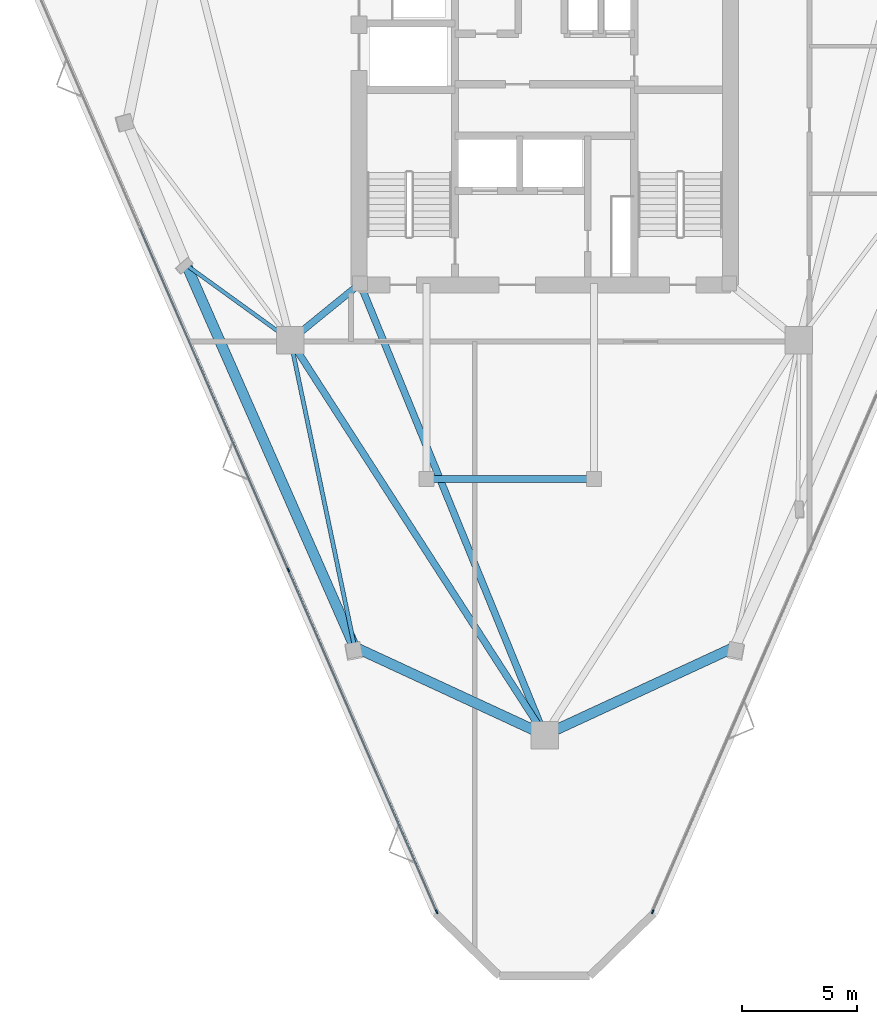
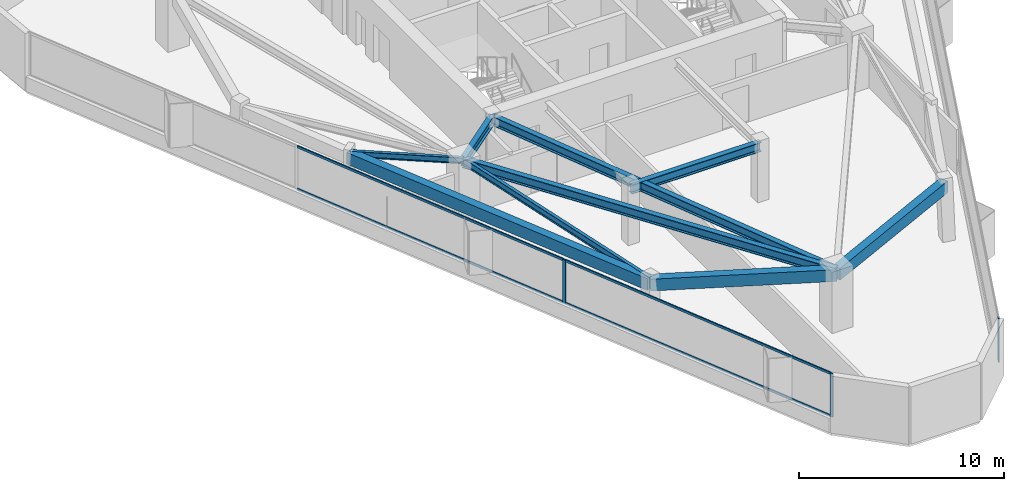
# One storey, part 2 of 10: 9 beams, 7 members, 2 elements without a shape of their own.
"""IFC4 building model written with IfcOpenShell, lengths in metres."""

import ifcopenshell
import ifcopenshell.guid

model = None  # the IFC model being written
_history = None  # IfcOwnerHistory: only IFC2X3 demands one
_inside = {}  # id of a spatial element -> (the spatial element, [elements in it])
_under = {}  # id of a project, library or spatial element -> (it, [spatial elements below it])
_declared = {}  # id of a project -> (the project, [libraries it declares])
_typed = {}  # id of a type object -> (the type object, [elements of that type])
_made_of = {}  # id of a material, layer set ... -> (it, [elements and type objects made of it])


def new_model(schema):
    """Start an empty IFC model of exactly this schema.

    Asked for "IFC4X3", IfcOpenShell would pick the latest addendum, in which some entities
    have other attributes; the version numbers below select the first issue.
    IFC2X3 requires an IfcOwnerHistory on every rooted entity: one is made here for all.
    """
    global model, _history
    if schema == "IFC4X3":
        model = ifcopenshell.file(schema_version=(4, 3, 0, 0))
    else:
        model = ifcopenshell.file(schema=schema)
    _inside.clear()
    _under.clear()
    _declared.clear()
    _typed.clear()
    _made_of.clear()
    _history = None
    if model.schema == "IFC2X3":
        org = make("IfcOrganization", Name="unknown")
        user = make(
            "IfcPersonAndOrganization",
            ThePerson=make("IfcPerson", FamilyName="unknown"),
            TheOrganization=org,
        )
        app = make(
            "IfcApplication",
            ApplicationDeveloper=org,
            Version="unknown",
            ApplicationFullName="unknown",
            ApplicationIdentifier="unknown",
        )
        _history = make(
            "IfcOwnerHistory",
            OwningUser=user,
            OwningApplication=app,
            ChangeAction="ADDED",
            CreationDate=0,
        )
    return model


def make(cls, **values):
    """One entity of the class cls with the attributes given. An attribute that is None is left unset."""
    return model.create_entity(
        cls, **{name: value for name, value in values.items() if value is not None}
    )


def rooted(cls, **values):
    """An entity with a GlobalId (a new one), such as an element, a storey or a relation."""
    return make(cls, GlobalId=ifcopenshell.guid.new(), OwnerHistory=_history, **values)


def si_unit(unit_type, name, prefix=None):
    """IfcSIUnit, for example si_unit("LENGTHUNIT", "METRE", prefix="MILLI")."""
    return make("IfcSIUnit", UnitType=unit_type, Prefix=prefix, Name=name)


def assignment(units):
    """IfcUnitAssignment: the units of a project."""
    return None if units is None else make("IfcUnitAssignment", Units=units)


def point(xyz):
    """IfcCartesianPoint."""
    return None if xyz is None else make("IfcCartesianPoint", Coordinates=xyz)


def direction(xyz):
    """IfcDirection."""
    return None if xyz is None else make("IfcDirection", DirectionRatios=xyz)


def frame(location, z_axis=None, x_axis=None):
    """IfcAxis2Placement3D, a coordinate frame: its origin and axes. An axis left out is left unset."""
    return make(
        "IfcAxis2Placement3D",
        Location=point(location),
        Axis=direction(z_axis),
        RefDirection=direction(x_axis),
    )


def frame_2d(location, x_axis=None):
    """IfcAxis2Placement2D, a coordinate frame in the plane: its origin and x axis."""
    return make(
        "IfcAxis2Placement2D", Location=point(location), RefDirection=direction(x_axis)
    )


def origin():
    """The frame at (0, 0, 0) with its axes left unset."""
    return frame((0.0, 0.0, 0.0))


def origin_2d():
    """The frame at (0, 0) in the plane with its x axis left unset."""
    return frame_2d((0.0, 0.0))


def place(relative_to, where):
    """IfcLocalPlacement: puts the frame where relative to a parent placement (None: the world)."""
    return make(
        "IfcLocalPlacement", PlacementRelTo=relative_to, RelativePlacement=where
    )


def context(
    kind, dimensions, precision=None, world=None, true_north=None, identifier=None
):
    """IfcGeometricRepresentationContext, for example the 3D "Model" context."""
    return make(
        "IfcGeometricRepresentationContext",
        ContextIdentifier=identifier,
        ContextType=kind,
        CoordinateSpaceDimension=dimensions,
        Precision=precision,
        WorldCoordinateSystem=world,
        TrueNorth=true_north,
    )


def subcontext(parent, identifier, kind, view, scale=None):
    """IfcGeometricRepresentationSubContext, for example "Body" below "Model"."""
    return make(
        "IfcGeometricRepresentationSubContext",
        ContextIdentifier=identifier,
        ContextType=kind,
        ParentContext=parent,
        TargetScale=scale,
        TargetView=view,
    )


def project(units=None, contexts=None):
    """IfcProject with its units and contexts."""
    return rooted(
        "IfcProject",
        Name="project",
        RepresentationContexts=contexts,
        UnitsInContext=assignment(units),
    )


def spatial(cls, under=None, at=None, **own):
    """A site, building, storey or space (cls), placed at a placement, below another one or the project."""
    s = rooted(cls, ObjectPlacement=at, **own)
    if under is not None:
        _under.setdefault(under.id(), (under, []))[1].append(s)
    return s


def profile(cls, at=None, kind="AREA", **sizes):
    """A parametric profile (cls). Its sizes go by their IFC names, for example OverallWidth=200.0."""
    return make(cls, ProfileType=kind, Position=at, **sizes)


def rectangle(**sizes):
    """IfcRectangleProfileDef."""
    return profile("IfcRectangleProfileDef", **sizes)


def i_section(**sizes):
    """IfcIShapeProfileDef."""
    return profile("IfcIShapeProfileDef", **sizes)


def extrude(swept, where, along, depth):
    """IfcExtrudedAreaSolid: the profile swept, set in the frame where, extruded along a direction by depth."""
    return make(
        "IfcExtrudedAreaSolid",
        SweptArea=swept,
        Position=where,
        ExtrudedDirection=direction(along),
        Depth=depth,
    )


def shape(context_of_items, identifier, shape_type, items):
    """IfcShapeRepresentation: the items that make up one representation, for example the "Body"."""
    return make(
        "IfcShapeRepresentation",
        ContextOfItems=context_of_items,
        RepresentationIdentifier=identifier,
        RepresentationType=shape_type,
        Items=items,
    )


def material(Name=None, Category=None):
    """IfcMaterial."""
    return make("IfcMaterial", Name=Name, Category=Category)


def layer(
    of_material, thickness, ventilated=None, Name=None, Category=None, Priority=None
):
    """IfcMaterialLayer: one layer of a wall or slab, of a material (None: an air gap)."""
    return make(
        "IfcMaterialLayer",
        Material=of_material,
        LayerThickness=thickness,
        IsVentilated=ventilated,
        Name=Name,
        Category=Category,
        Priority=Priority,
    )


def layer_set(layers, Name=None):
    """IfcMaterialLayerSet."""
    return make("IfcMaterialLayerSet", MaterialLayers=layers, LayerSetName=Name)


def material_profile(
    of_material, cross_section, Name=None, Category=None, Priority=None
):
    """IfcMaterialProfile: a cross section and its material."""
    return make(
        "IfcMaterialProfile",
        Name=Name,
        Material=of_material,
        Profile=cross_section,
        Priority=Priority,
        Category=Category,
    )


def profile_set(profiles, Name=None, composite=None):
    """IfcMaterialProfileSet."""
    return make(
        "IfcMaterialProfileSet",
        Name=Name,
        MaterialProfiles=profiles,
        CompositeProfile=composite,
    )


def made_of(thing, what):
    """Note that an element or type object is made of a material, layer set ...; save() writes the relation."""
    if what is not None:
        _made_of.setdefault(what.id(), (what, []))[1].append(thing)
    return thing


def type_object(cls, material=None, **own):
    """A type object (cls), such as IfcWallType, which elements share."""
    return made_of(rooted(cls, **own), material)


def element(
    cls,
    number,
    at=None,
    inside=None,
    cuts=None,
    type_object=None,
    material=None,
    context=None,
    identifier="Body",
    shape_type=None,
    held_by="IfcProductDefinitionShape",
    body=None,
    shapes=None,
    **own,
):
    """One element of the class cls, such as IfcWall. Its Tag is "e" and its number.

    at: its placement. inside: the storey or other place that contains it. cuts: it is an
    opening in that element (IfcRelVoidsElement). A single representation is given by context,
    identifier, shape_type and body (its items); several are given by shapes. held_by: the class
    of the entity that holds the representations. save() writes the other relations.
    """
    e = rooted(cls, Tag="e%d" % number, ObjectPlacement=at, **own)
    if body is not None:
        shapes = [shape(context, identifier, shape_type, body)]
    if shapes is not None:
        e.Representation = make(held_by, Representations=shapes)
    if inside is not None:
        _inside.setdefault(inside.id(), (inside, []))[1].append(e)
    if cuts is not None:
        rooted(
            "IfcRelVoidsElement", RelatingBuildingElement=cuts, RelatedOpeningElement=e
        )
    if type_object is not None:
        _typed.setdefault(type_object.id(), (type_object, []))[1].append(e)
    return made_of(e, material)


def aggregate(whole, parts):
    """IfcRelAggregates: a whole, such as a stair, and the parts it consists of."""
    return rooted("IfcRelAggregates", RelatingObject=whole, RelatedObjects=parts)


def save(model, path):
    """Write the relations noted so far, then the file.

    IfcRelAggregates (storeys below a building ...), IfcRelContainedInSpatialStructure (elements
    in a storey), IfcRelDefinesByType, IfcRelAssociatesMaterial and IfcRelDeclares: one each for
    every whole, place, type object, material and project.
    """
    for whole, parts in _under.values():
        aggregate(whole, parts)
    for where, things in _inside.values():
        rooted(
            "IfcRelContainedInSpatialStructure",
            RelatedElements=things,
            RelatingStructure=where,
        )
    for kind, things in _typed.values():
        rooted("IfcRelDefinesByType", RelatedObjects=things, RelatingType=kind)
    for what, things in _made_of.values():
        rooted("IfcRelAssociatesMaterial", RelatedObjects=things, RelatingMaterial=what)
    for by, libraries in _declared.values():
        rooted("IfcRelDeclares", RelatingContext=by, RelatedDefinitions=libraries)
    model.write(path)


model = new_model("IFC4")

# Units and contexts
model_context = context("Model", 3, precision=1e-05, world=origin(), true_north=direction((0.0, 1.0)))
body_context = subcontext(model_context, "Body", "Model", "MODEL_VIEW")
ifc_project = project(units=[si_unit("LENGTHUNIT", "METRE"), si_unit("AREAUNIT", "SQUARE_METRE"), si_unit("VOLUMEUNIT", "CUBIC_METRE"), si_unit("PLANEANGLEUNIT", "RADIAN"), si_unit("MASSUNIT", "GRAM", prefix="KILO")], contexts=[model_context])

# Site, building, storey
site_placement = place(None, origin())
site = spatial("IfcSite", under=ifc_project, at=site_placement, CompositionType="ELEMENT")
building_placement = place(site_placement, origin())
building = spatial("IfcBuilding", under=site, at=building_placement, Name="Talyreon Biosciences Tower", CompositionType="ELEMENT")
storey_placement = place(building_placement, frame((0.0, 0.0, 231.60009765625)))
storey = spatial("IfcBuildingStorey", under=building, at=storey_placement, Name="L61", CompositionType="ELEMENT", Elevation=231.60009765625)

# Curtain wall, members
ifc_material_1 = material(Name="Thermally broken aluminium and low-E glazing", Category="aluminium")
ifc_layer = layer(ifc_material_1, 0.175048828125)
ifc_layer_set = layer_set([ifc_layer], Name="Thermally broken aluminium and low-E glazing")
curtain_wall_type = type_object("IfcCurtainWallType", Name="CurtainWall_Zone5CompLab", PredefinedType="NOTDEFINED", material=ifc_layer_set)
curtain_wall_1_placement = place(storey_placement, origin())
curtain_wall_1 = element("IfcCurtainWall", 1, at=curtain_wall_1_placement, inside=storey, type_object=curtain_wall_type, Name="L61 Unitised Curtain Wall FCW-L61-00", PredefinedType="NOTDEFINED")
ifc_material_2 = material(Name="Anodised thermally broken aluminium", Category="aluminium")
ifc_material_profile_1 = material_profile(ifc_material_2, rectangle(XDim=0.06494140625, YDim=0.179931640625, at=origin_2d()), Name="ALUM MULLION 65x180")
ifc_profile_set_1 = profile_set([ifc_material_profile_1], Name="Anodised thermally broken aluminium")
member_type_1 = type_object("IfcMemberType", Name="CWMullion_65x180", PredefinedType="MULLION", material=ifc_profile_set_1)
member_1_placement = place(storey_placement, frame((61.290283203125, 33.96142578125, 0.809814453125), z_axis=(0.0, 0.0, 1.0), x_axis=(-0.917336640876, -0.398112405366, 0.0)))
member_1 = element("IfcMember", 2, at=member_1_placement, type_object=member_type_1, Name="CW6 mullion 1", PredefinedType="MULLION", context=body_context, shape_type="SweptSolid", body=[
    extrude(rectangle(XDim=0.06494140625, YDim=0.179931640625, at=origin_2d()), origin(), (0.0, 0.0, 1.0), 2.590087890625),
])
member_2_placement = place(storey_placement, frame((54.824951171875, 48.85888671875, 0.809814453125), z_axis=(0.0, 0.0, 1.0), x_axis=(-0.917336640876, -0.398112405366, 0.0)))
member_2 = element("IfcMember", 3, at=member_2_placement, type_object=member_type_1, Name="CW6 mullion 2", PredefinedType="MULLION", context=body_context, shape_type="SweptSolid", body=[
    extrude(rectangle(XDim=0.06494140625, YDim=0.179931640625, at=origin_2d()), origin(), (0.0, 0.0, 1.0), 2.590087890625),
])

# Curtain wall, member
curtain_wall_2_placement = place(storey_placement, origin())
curtain_wall_2 = element("IfcCurtainWall", 4, at=curtain_wall_2_placement, inside=storey, type_object=curtain_wall_type, Name="L61 Unitised Curtain Wall FCW-L61-08", PredefinedType="NOTDEFINED")
member_3_placement = place(storey_placement, frame((70.709716796875, 33.96142578125, 0.809814453125), z_axis=(0.0, 0.0, 1.0), x_axis=(0.917336640876, -0.398112405366, 0.0)))
member_3 = element("IfcMember", 5, at=member_3_placement, type_object=member_type_1, Name="CW6 mullion 4", PredefinedType="MULLION", context=body_context, shape_type="SweptSolid", body=[
    extrude(rectangle(XDim=0.06494140625, YDim=0.179931640625, at=origin_2d()), origin(), (0.0, 0.0, 1.0), 2.590087890625),
])
aggregate(curtain_wall_2, [member_3])

# Member
ifc_material_profile_2 = material_profile(ifc_material_2, rectangle(XDim=0.06494140625, YDim=0.139892578125, at=origin_2d()), Name="ALUM TRANSOM 65x140")
ifc_profile_set_2 = profile_set([ifc_material_profile_2], Name="Anodised thermally broken aluminium")
member_type_2 = type_object("IfcMemberType", Name="CWTransom_65x140", PredefinedType="USERDEFINED", material=ifc_profile_set_2)
member_4_placement = place(storey_placement, frame((61.27734375, 33.9912109375, 0.84228515625), z_axis=(-0.398117802668, 0.917334298497, 0.0), x_axis=(-0.917334298497, -0.398117802668, 0.0)))
member_4 = element("IfcMember", 6, at=member_4_placement, type_object=member_type_2, Name="CW6 transom 1.1", ObjectType="TRANSOM", PredefinedType="USERDEFINED", context=body_context, shape_type="SweptSolid", body=[
    extrude(rectangle(XDim=0.06494140625, YDim=0.139892578125, at=origin_2d()), origin(), (0.0, 0.0, 1.0), 16.1748046875),
])

member_5_placement = place(storey_placement, frame((61.27734375, 33.9912109375, 3.367431640625), z_axis=(-0.398117802668, 0.917334298497, 0.0), x_axis=(-0.917334298497, -0.398117802668, 0.0)))
member_5 = element("IfcMember", 7, at=member_5_placement, type_object=member_type_2, Name="CW6 transom 1.2", ObjectType="TRANSOM", PredefinedType="USERDEFINED", context=body_context, shape_type="SweptSolid", body=[
    extrude(rectangle(XDim=0.06494140625, YDim=0.139892578125, at=origin_2d()), origin(), (0.0, 0.0, 1.0), 16.1748046875),
])

member_6_placement = place(storey_placement, frame((54.81201171875, 48.888671875, 0.84228515625), z_axis=(-0.398118470733, 0.91733400856, 0.0), x_axis=(-0.91733400856, -0.398118470733, 0.0)))
member_6 = element("IfcMember", 8, at=member_6_placement, type_object=member_type_2, Name="CW6 transom 2.1", ObjectType="TRANSOM", PredefinedType="USERDEFINED", context=body_context, shape_type="SweptSolid", body=[
    extrude(rectangle(XDim=0.06494140625, YDim=0.139892578125, at=origin_2d()), origin(), (0.0, 0.0, 1.0), 16.207275390625),
])

member_7_placement = place(storey_placement, frame((54.81201171875, 48.888671875, 3.367431640625), z_axis=(-0.398118470733, 0.91733400856, 0.0), x_axis=(-0.91733400856, -0.398118470733, 0.0)))
member_7 = element("IfcMember", 9, at=member_7_placement, type_object=member_type_2, Name="CW6 transom 2.2", ObjectType="TRANSOM", PredefinedType="USERDEFINED", context=body_context, shape_type="SweptSolid", body=[
    extrude(rectangle(XDim=0.06494140625, YDim=0.139892578125, at=origin_2d()), origin(), (0.0, 0.0, 1.0), 16.207275390625),
])

aggregate(curtain_wall_1, [member_1, member_2, member_4, member_5, member_6, member_7])

# Beams
ifc_material_3 = material(Name="Precast concrete C45/55", Category="concrete")
ifc_material_profile_3 = material_profile(ifc_material_3, rectangle(XDim=0.449951171875, YDim=0.699951171875, at=origin_2d()), Name="RCB 450x700")
ifc_profile_set_3 = profile_set([ifc_material_profile_3], Name="Precast concrete C45/55")
beam_type_1 = type_object("IfcBeamType", Name="ExpressedSpandrel_450x700", PredefinedType="SPANDREL", material=ifc_profile_set_3)
beam_1_placement = place(storey_placement, frame((66.0, 41.6669921875, 3.0498046875), z_axis=(0.907527851036, 0.419991904201, 0.0), x_axis=(-0.419991904201, 0.907527851036, 0.0)))
element("IfcBeam", 10, at=beam_1_placement, inside=storey, type_object=beam_type_1, Name="L61 Expressed Horizontal Concrete Spandrel 01", PredefinedType="SPANDREL", context=body_context, shape_type="SweptSolid", body=[
    extrude(rectangle(XDim=0.449951171875, YDim=0.699951171875, at=origin_2d()), origin(), (0.0, 0.0, 1.0), 9.134033203125),
])
beam_2_placement = place(storey_placement, frame((50.376953125, 62.159423828125, 3.0498046875), z_axis=(0.402968326191, -0.915213924767, 0.0), x_axis=(0.915213924767, 0.402968326191, 0.0)))
element("IfcBeam", 11, at=beam_2_placement, inside=storey, type_object=beam_type_1, Name="L61 Expressed Horizontal Concrete Spandrel 11", PredefinedType="SPANDREL", context=body_context, shape_type="SweptSolid", body=[
    extrude(rectangle(XDim=0.449951171875, YDim=0.699951171875, at=origin_2d()), origin(), (0.0, 0.0, 1.0), 18.19921875),
])
beam_3_placement = place(storey_placement, frame((57.710693359375, 45.503173828125, 3.0498046875), z_axis=(0.907527851036, -0.419991904201, 0.0), x_axis=(0.419991904201, 0.907527851036, 0.0)))
element("IfcBeam", 12, at=beam_3_placement, inside=storey, type_object=beam_type_1, Name="L61 Expressed Horizontal Concrete Spandrel 12", PredefinedType="SPANDREL", context=body_context, shape_type="SweptSolid", body=[
    extrude(rectangle(XDim=0.449951171875, YDim=0.699951171875, at=origin_2d()), origin(), (0.0, 0.0, 1.0), 9.134033203125),
])
ifc_material_4 = material(Name="Steel SM355", Category="steel")
ifc_material_profile_4 = material_profile(ifc_material_4, i_section(OverallWidth=0.300048828125, OverallDepth=0.550048828125, WebThickness=0.014892578125, FlangeThickness=0.029052734375, FilletRadius=0.027099609375, at=origin_2d()), Name="HE550B")
ifc_profile_set_4 = profile_set([ifc_material_profile_4], Name="Steel SM355")
beam_type_2 = type_object("IfcBeamType", Name="SteelBeam_HE550B", PredefinedType="BEAM", material=ifc_profile_set_4)
beam_4_placement = place(storey_placement, frame((54.913818359375, 58.88037109375, 3.125), z_axis=(0.541463723609, -0.840724114092, 0.0), x_axis=(0.840724114092, 0.541463723609, 0.0)))
element("IfcBeam", 13, at=beam_4_placement, inside=storey, type_object=beam_type_2, Name="L61 Mega-Ring Girder 6", PredefinedType="BEAM", context=body_context, shape_type="SweptSolid", body=[
    extrude(i_section(OverallWidth=0.300048828125, OverallDepth=0.550048828125, WebThickness=0.014892578125, FlangeThickness=0.029052734375, FilletRadius=0.027099609375, at=origin_2d()), origin(), (0.0, 0.0, 1.0), 20.474365234375),
])
beam_5_placement = place(storey_placement, frame((57.949951171875, 61.35009765625, 3.125), z_axis=(0.378547014545, -0.925582064314, 0.0), x_axis=(0.925582064314, 0.378547014545, 0.0)))
element("IfcBeam", 14, at=beam_5_placement, inside=storey, type_object=beam_type_2, Name="L61 Radial Primary Girder 1", PredefinedType="BEAM", context=body_context, shape_type="SweptSolid", body=[
    extrude(i_section(OverallWidth=0.300048828125, OverallDepth=0.550048828125, WebThickness=0.014892578125, FlangeThickness=0.029052734375, FilletRadius=0.027099609375, at=origin_2d()), origin(), (0.0, 0.0, 1.0), 21.265625),
])
beam_6_placement = place(storey_placement, frame((57.949951171875, 61.35009765625, 3.125), z_axis=(-0.775755154013, -0.631034025249, 0.0), x_axis=(0.631034025249, -0.775755154013, 0.0)))
element("IfcBeam", 15, at=beam_6_placement, inside=storey, type_object=beam_type_2, Name="L61 Radial Primary Girder 6", PredefinedType="BEAM", context=body_context, shape_type="SweptSolid", body=[
    extrude(i_section(OverallWidth=0.300048828125, OverallDepth=0.550048828125, WebThickness=0.014892578125, FlangeThickness=0.029052734375, FilletRadius=0.027099609375, at=origin_2d()), origin(), (0.0, 0.0, 1.0), 3.913818359375),
])
beam_7_placement = place(storey_placement, frame((60.85009765625, 52.840087890625, 3.125), z_axis=(1.0, 0.0, 0.0), x_axis=(0.0, 1.0, 0.0)))
element("IfcBeam", 16, at=beam_7_placement, inside=storey, type_object=beam_type_2, Name="L61 Crown Shaft Spine Girder S", PredefinedType="BEAM", context=body_context, shape_type="SweptSolid", body=[
    extrude(i_section(OverallWidth=0.300048828125, OverallDepth=0.550048828125, WebThickness=0.014892578125, FlangeThickness=0.029052734375, FilletRadius=0.027099609375, at=origin_2d()), origin(), (0.0, 0.0, 1.0), 7.2998046875),
])
ifc_material_profile_5 = material_profile(ifc_material_4, i_section(OverallWidth=0.169921875, OverallDepth=0.360107421875, WebThickness=0.008056640625, FlangeThickness=0.0126953125, FilletRadius=0.01806640625, at=origin_2d()), Name="IPE360")
ifc_profile_set_5 = profile_set([ifc_material_profile_5], Name="Steel SM355")
beam_type_3 = type_object("IfcBeamType", Name="SteelJoist_IPE360", PredefinedType="JOIST", material=ifc_profile_set_5)
beam_8_placement = place(storey_placement, frame((54.913818359375, 58.88037109375, 3.219970703125), z_axis=(-0.810473318105, 0.585775554833, 0.0), x_axis=(-0.585775554833, -0.810473318105, 0.0)))
element("IfcBeam", 17, at=beam_8_placement, inside=storey, type_object=beam_type_3, Name="L61 Radial Composite Floor Joist PL-SW", PredefinedType="JOIST", context=body_context, shape_type="SweptSolid", body=[
    extrude(i_section(OverallWidth=0.169921875, OverallDepth=0.360107421875, WebThickness=0.008056640625, FlangeThickness=0.0126953125, FilletRadius=0.01806640625, at=origin_2d()), origin(), (0.0, 0.0, 1.0), 5.597900390625),
])
ifc_material_profile_6 = material_profile(ifc_material_4, i_section(OverallWidth=0.179931640625, OverallDepth=0.39990234375, WebThickness=0.008544921875, FlangeThickness=0.013427734375, FilletRadius=0.02099609375, at=origin_2d()), Name="IPE400")
ifc_profile_set_6 = profile_set([ifc_material_profile_6], Name="Steel SM355")
beam_type_4 = type_object("IfcBeamType", Name="SteelJoist_IPE400", PredefinedType="JOIST", material=ifc_profile_set_6)
beam_9_placement = place(storey_placement, frame((54.913818359375, 58.88037109375, 3.199951171875), z_axis=(0.204652601401, -0.97883467079, 0.0), x_axis=(0.97883467079, 0.204652601401, 0.0)))
element("IfcBeam", 18, at=beam_9_placement, inside=storey, type_object=beam_type_4, Name="L61 Radial Composite Floor Joist PC-SW2", PredefinedType="JOIST", context=body_context, shape_type="SweptSolid", body=[
    extrude(i_section(OverallWidth=0.179931640625, OverallDepth=0.39990234375, WebThickness=0.008544921875, FlangeThickness=0.013427734375, FilletRadius=0.02099609375, at=origin_2d()), origin(), (0.0, 0.0, 1.0), 13.66650390625),
])

save(model, "model.ifc")
